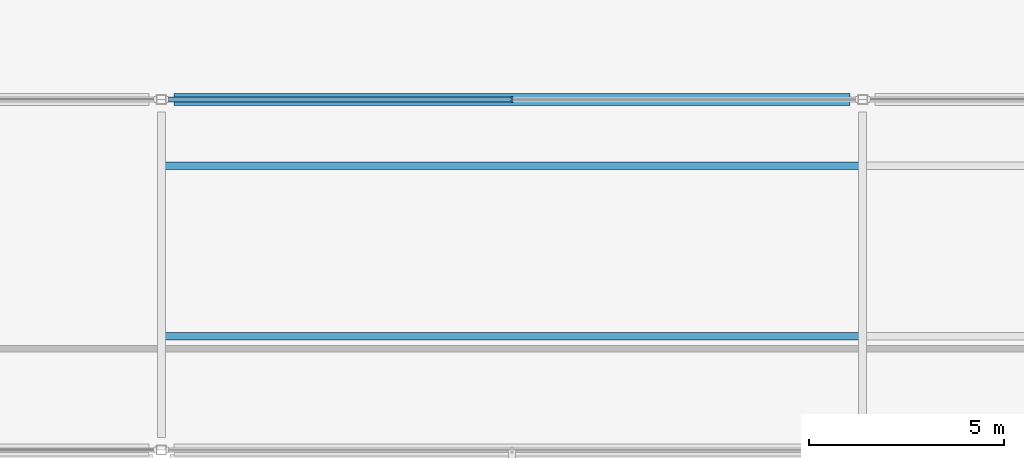
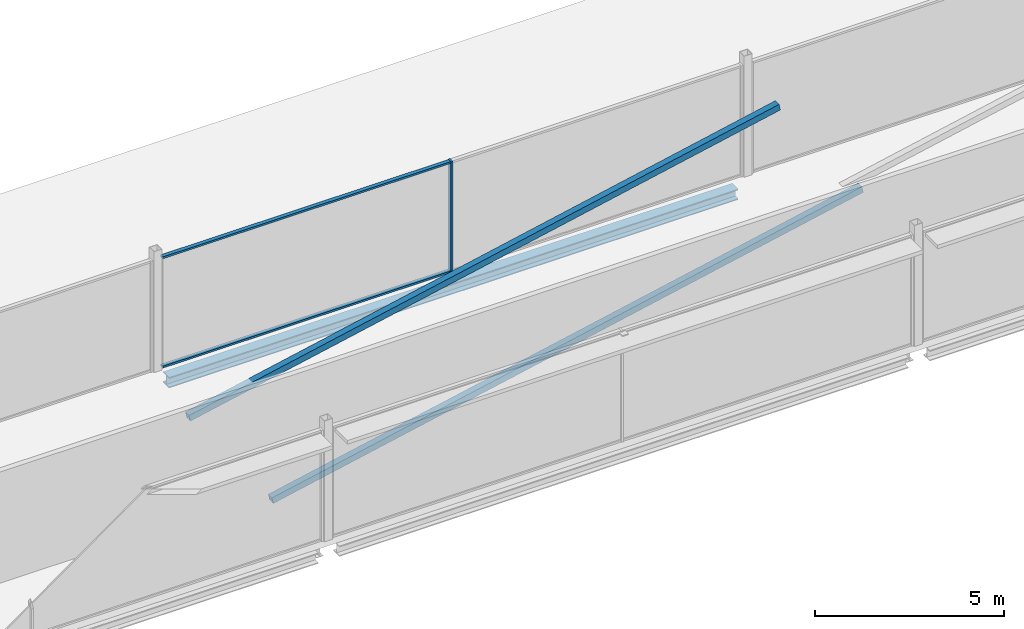
# One storey, part 28 of 105: 5 members, 1 beam, 1 element without a shape of its own.
"""IFC4 building model written with IfcOpenShell, lengths in metres."""

from ifc_helpers import new_model, si_unit, direction, frame, origin, origin_2d, place, context, subcontext, project, spatial, rectangle, hollow_rectangle, i_section, extrude, material, layer, layer_set, material_profile, profile_set, type_object, element, aggregate, save


model = new_model("IFC4")

# Units and contexts
model_context = context("Model", 3, precision=1e-05, world=origin(), true_north=direction((0.0, 1.0)))
body_context = subcontext(model_context, "Body", "Model", "MODEL_VIEW")
ifc_project = project(units=[si_unit("LENGTHUNIT", "METRE"), si_unit("AREAUNIT", "SQUARE_METRE"), si_unit("VOLUMEUNIT", "CUBIC_METRE"), si_unit("PLANEANGLEUNIT", "RADIAN"), si_unit("MASSUNIT", "GRAM", prefix="KILO")], contexts=[model_context])

# Site, building, storey
site_placement = place(None, origin())
site = spatial("IfcSite", under=ifc_project, at=site_placement, CompositionType="ELEMENT")
building_placement = place(site_placement, origin())
building = spatial("IfcBuilding", under=site, at=building_placement, Name="Kisiwana Market Hall", CompositionType="ELEMENT")
storey_placement = place(building_placement, frame((0.0, 0.0, 21.60009765625)))
storey = spatial("IfcBuildingStorey", under=building, at=storey_placement, Name="L04", CompositionType="ELEMENT", Elevation=21.60009765625)

# Beam
ifc_material_1 = material(Name="Steel S355", Category="steel")
ifc_material_profile_1 = material_profile(ifc_material_1, i_section(OverallWidth=0.314453125, OverallDepth=0.33984375, WebThickness=0.01904296875, FlangeThickness=0.031494140625, at=origin_2d()), Name="UC 305x305x198")
ifc_profile_set_1 = profile_set([ifc_material_profile_1], Name="Steel S355")
beam_type = type_object("IfcBeamType", Name="BM-SKYBR-CHORD", PredefinedType="BEAM", material=ifc_profile_set_1)
beam_placement = place(storey_placement, frame((117.321044921875, 27.0, -0.462158203125), z_axis=(1.0, 0.0, 0.0), x_axis=(0.0, 1.0, 0.0)))
element("IfcBeam", 1, at=beam_placement, inside=storey, type_object=beam_type, Name="Floor beam B-1441", PredefinedType="BEAM", context=body_context, shape_type="SweptSolid", body=[
    extrude(i_section(OverallWidth=0.314453125, OverallDepth=0.33984375, WebThickness=0.01904296875, FlangeThickness=0.031494140625, at=origin_2d()), origin(), (0.0, 0.0, 1.0), 17.35791015625),
])

# Curtain wall, members
ifc_material_2 = material(Name="Double-glazed solar-control low-E IGU", Category="glass")
ifc_layer = layer(ifc_material_2, 0.159912109375)
ifc_layer_set = layer_set([ifc_layer], Name="CW-ZNA-EW-8200")
curtain_wall_type = type_object("IfcCurtainWallType", Name="CW-ZNA-EW-8200", PredefinedType="USERDEFINED", material=ifc_layer_set)
curtain_wall_placement = place(storey_placement, origin())
curtain_wall = element("IfcCurtainWall", 2, at=curtain_wall_placement, inside=storey, type_object=curtain_wall_type, Name="Unitised curtain wall CW-102 (L04)", ObjectType="UNITISED CURTAIN WALL", PredefinedType="USERDEFINED")
ifc_material_3 = material(Name="Aluminium alloy 6063-T6", Category="aluminium")
ifc_material_profile_2 = material_profile(ifc_material_3, rectangle(XDim=0.06005859375, YDim=0.159912109375, at=origin_2d()), Name="ALU MULLION 60x160")
ifc_profile_set_2 = profile_set([ifc_material_profile_2], Name="Aluminium alloy 6063-T6")
member_type_1 = type_object("IfcMemberType", Name="CW-MULL-60x160", PredefinedType="MULLION", material=ifc_profile_set_2)
member_1_placement = place(storey_placement, frame((126.0, 27.0, 0.0), z_axis=(0.0, 0.0, 1.0), x_axis=(1.0, 0.0, 0.0)))
member_1 = element("IfcMember", 3, at=member_1_placement, type_object=member_type_1, Name="CW-102 mullion 2", PredefinedType="MULLION", context=body_context, shape_type="SweptSolid", body=[
    extrude(rectangle(XDim=0.06005859375, YDim=0.159912109375, at=origin_2d()), origin(), (0.0, 0.0, 1.0), 3.5849609375),
])
ifc_material_4 = material(Name="Aluminium alloy 6063-T6", Category="aluminium")
ifc_material_profile_3 = material_profile(ifc_material_4, rectangle(XDim=0.1201171875, YDim=0.06005859375, at=origin_2d()), Name="ALU TRANSOM 60x120")
ifc_profile_set_3 = profile_set([ifc_material_profile_3], Name="Aluminium alloy 6063-T6")
member_type_2 = type_object("IfcMemberType", Name="CW-TRAN-60x120", PredefinedType="USERDEFINED", material=ifc_profile_set_3)
member_2_placement = place(storey_placement, frame((117.18505859375, 27.0, 0.02978515625), z_axis=(1.0, 0.0, 0.0), x_axis=(0.0, 1.0, 0.0)))
member_2 = element("IfcMember", 4, at=member_2_placement, type_object=member_type_2, Name="CW-102 transom 1.1", ObjectType="TRANSOM", PredefinedType="USERDEFINED", context=body_context, shape_type="SweptSolid", body=[
    extrude(rectangle(XDim=0.1201171875, YDim=0.06005859375, at=origin_2d()), origin(), (0.0, 0.0, 1.0), 8.784912109375),
])
member_3_placement = place(storey_placement, frame((117.18505859375, 27.0, 3.554931640625), z_axis=(1.0, 0.0, 0.0), x_axis=(0.0, 1.0, 0.0)))
member_3 = element("IfcMember", 5, at=member_3_placement, type_object=member_type_2, Name="CW-102 transom 1.2", ObjectType="TRANSOM", PredefinedType="USERDEFINED", context=body_context, shape_type="SweptSolid", body=[
    extrude(rectangle(XDim=0.1201171875, YDim=0.06005859375, at=origin_2d()), origin(), (0.0, 0.0, 1.0), 8.784912109375),
])
aggregate(curtain_wall, [member_1, member_2, member_3])

# Members
ifc_material_5 = material(Name="Steel S355", Category="steel")
ifc_material_profile_4 = material_profile(ifc_material_5, hollow_rectangle(XDim=0.199951171875, YDim=0.199951171875, WallThickness=0.010009765625, at=origin_2d()), Name="SHS 200x200x10.0")
ifc_profile_set_4 = profile_set([ifc_material_profile_4], Name="Steel S355")
member_type_3 = type_object("IfcMemberType", Name="MB-SKY-DIAG200", PredefinedType="BRACE", material=ifc_profile_set_4)
for number, where, z_axis, x_axis, name in (
    (6, (117.0, 20.919921875, -0.5), (0.979144505841, 0.0, 0.203165047883), (0.0, 1.0, 0.0), "Skybridge truss diagonal L04 grids 14 to 16 M-0490"),
    (7, (117.0, 25.300048828125, -0.5), (0.979144505841, 0.0, 0.203165047883), (0.0, 1.0, 0.0), "Skybridge truss diagonal L04 grids 14 to 16 M-0491"),
):
    element("IfcMember", number, at=place(storey_placement, frame(where, z_axis=z_axis, x_axis=x_axis)), inside=storey, type_object=member_type_3, Name=name, PredefinedType="BRACE", context=body_context, shape_type="SweptSolid", body=[
        extrude(hollow_rectangle(XDim=0.199951171875, YDim=0.199951171875, WallThickness=0.010009765625, at=origin_2d()), origin(), (0.0, 0.0, 1.0), 18.38330078125),
    ])

save(model, "model.ifc")
